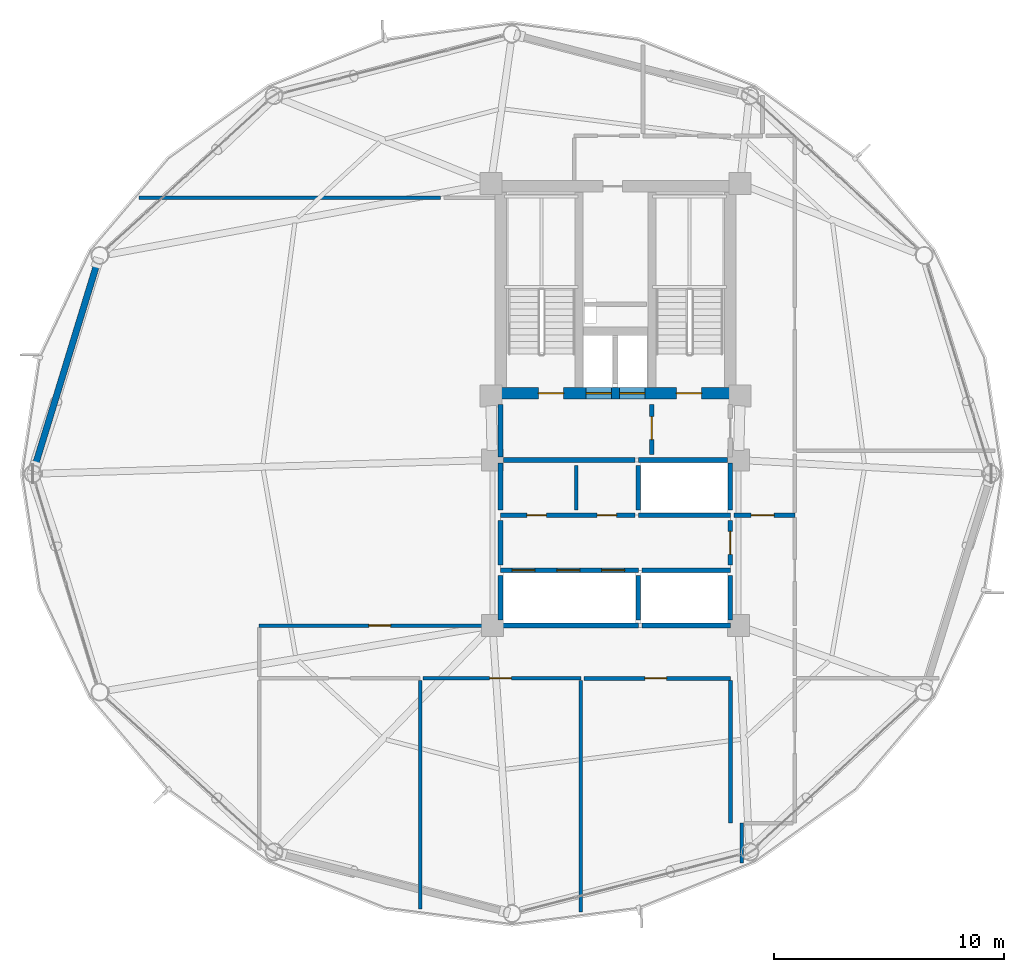
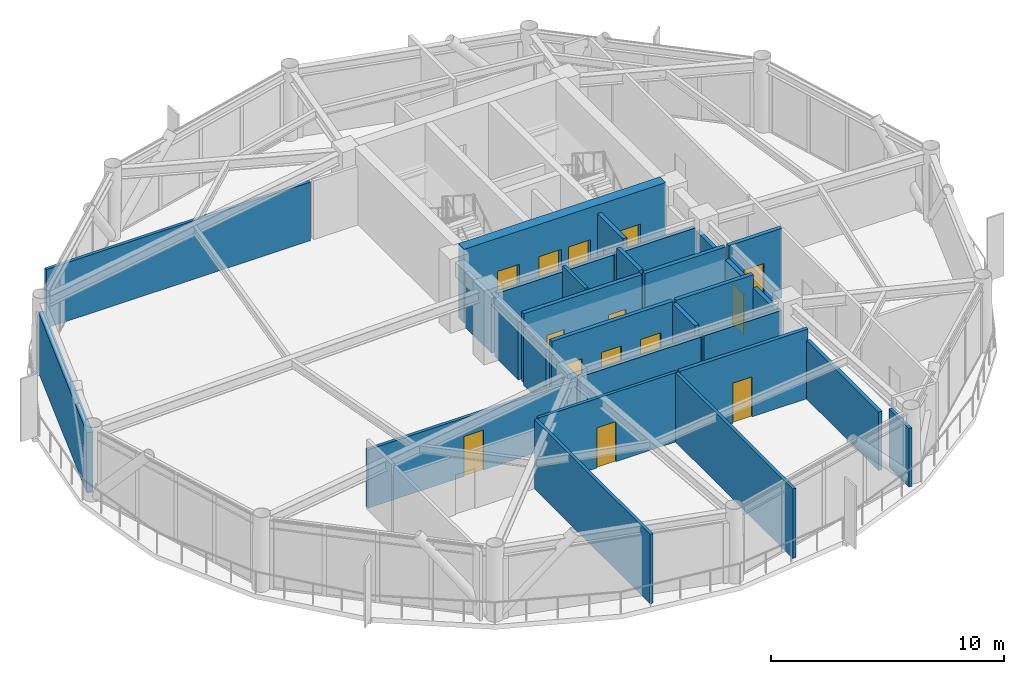
# One storey, part 21 of 25: 30 walls, 15 doors, 15 openings.
"""IFC4 building model written with IfcOpenShell, lengths in metres."""

from ifc_helpers import new_model, si_unit, direction, frame, frame_2d, origin, place, context, subcontext, project, spatial, rectangle, extrude, material, layer, layer_set, type_object, element, fill, save


model = new_model("IFC4")

# Units and contexts
model_context = context("Model", 3, precision=1e-05, world=origin(), true_north=direction((0.0, 1.0)))
body_context = subcontext(model_context, "Body", "Model", "MODEL_VIEW")
ifc_project = project(units=[si_unit("LENGTHUNIT", "METRE"), si_unit("AREAUNIT", "SQUARE_METRE"), si_unit("VOLUMEUNIT", "CUBIC_METRE"), si_unit("PLANEANGLEUNIT", "RADIAN"), si_unit("MASSUNIT", "GRAM", prefix="KILO")], contexts=[model_context])

# Site, building, storey
site_placement = place(None, origin())
site = spatial("IfcSite", under=ifc_project, at=site_placement, CompositionType="ELEMENT")
building_placement = place(site_placement, origin())
building = spatial("IfcBuilding", under=site, at=building_placement, Name="Varnakorn Sky Granary", CompositionType="ELEMENT")
storey_placement = place(building_placement, frame((0.0, 0.0, 146.10009765625)))
storey = spatial("IfcBuildingStorey", under=building, at=storey_placement, Name="L36", CompositionType="ELEMENT", Elevation=146.10009765625)

# Wall, openings, doors
ifc_material_1 = material(Name="Concrete C60/75", Category="concrete")
ifc_layer_1 = layer(ifc_material_1, 0.5, Name="Concrete C60/75")
ifc_layer_set_1 = layer_set([ifc_layer_1], Name="Concrete C60/75")
wall_type_1 = type_object("IfcWallType", Name="WT-CW-SHEAR-500", PredefinedType="SHEAR", material=ifc_layer_set_1)
wall_1_placement = place(storey_placement, frame((-2.0, 3.5, 0.0), z_axis=(0.0, 0.0, 1.0), x_axis=(1.0, 0.0, 0.0)))
wall_1 = element("IfcWall", 1, at=wall_1_placement, inside=storey, type_object=wall_type_1, Name="Core South Shear Wall L36", PredefinedType="SHEAR", context=body_context, shape_type="SweptSolid", body=[
    extrude(rectangle(XDim=10.0, YDim=0.5, at=frame_2d((5.0, 0.0))), origin(), (0.0, 0.0, 1.0), 3.891845703125),
])
opening_1_placement = place(wall_1_placement, frame((1.64990234375, 0.0, 0.0)))
opening_1 = element("IfcOpeningElement", 2, at=opening_1_placement, cuts=wall_1, Name="Opening FD-90", PredefinedType="OPENING", context=body_context, shape_type="SweptSolid", body=[
    extrude(rectangle(XDim=1.10009765625, YDim=2.14990234375, at=frame_2d((0.550048828125, 1.074951171875))), frame((0.0, 0.260009765625, 0.0), z_axis=(0.0, -1.0, 0.0), x_axis=(1.0, 0.0, 0.0)), (0.0, 0.0, 1.0), 0.52001953125),
])
opening_2_placement = place(wall_1_placement, frame((7.64990234375, 0.0, 0.0)))
opening_2 = element("IfcOpeningElement", 3, at=opening_2_placement, cuts=wall_1, Name="Opening FD-90", PredefinedType="OPENING", context=body_context, shape_type="SweptSolid", body=[
    extrude(rectangle(XDim=1.10009765625, YDim=2.14990234375, at=frame_2d((0.550048828125, 1.074951171875))), frame((0.0, 0.260009765625, 0.0), z_axis=(0.0, -1.0, 0.0), x_axis=(1.0, 0.0, 0.0)), (0.0, 0.0, 1.0), 0.52001953125),
])
opening_3_placement = place(wall_1_placement, frame((3.719970703125, 0.0, 0.0)))
opening_3 = element("IfcOpeningElement", 4, at=opening_3_placement, cuts=wall_1, Name="Opening LD-01", PredefinedType="OPENING", context=body_context, shape_type="SweptSolid", body=[
    extrude(rectangle(XDim=1.10009765625, YDim=2.199951171875, at=frame_2d((0.550048828125, 1.10009765625))), frame((0.0, 0.260009765625, 0.0), z_axis=(0.0, -1.0, 0.0), x_axis=(1.0, 0.0, 0.0)), (0.0, 0.0, 1.0), 0.52001953125),
])
opening_4_placement = place(wall_1_placement, frame((5.179931640625, 0.0, 0.0)))
opening_4 = element("IfcOpeningElement", 5, at=opening_4_placement, cuts=wall_1, Name="Opening LD-01", PredefinedType="OPENING", context=body_context, shape_type="SweptSolid", body=[
    extrude(rectangle(XDim=1.10009765625, YDim=2.199951171875, at=frame_2d((0.550048828125, 1.10009765625))), frame((0.0, 0.260009765625, 0.0), z_axis=(0.0, -1.0, 0.0), x_axis=(1.0, 0.0, 0.0)), (0.0, 0.0, 1.0), 0.52001953125),
])
ifc_material_2 = material(Name="Brushed Bronze Stainless Steel", Category="steel")
door_type_1 = type_object("IfcDoorType", Name="DR-LD-1100", OperationType="DOUBLE_DOOR_SLIDING", PredefinedType="DOOR", material=ifc_material_2)
door_1_placement = place(opening_3_placement, origin())
door_1 = element("IfcDoor", 6, at=door_1_placement, inside=storey, type_object=door_type_1, Name="Firefighting Lift FFL-1 Landing Door L36", OperationType="DOUBLE_DOOR_SLIDING", OverallHeight=2.199951171875, OverallWidth=1.10009765625, PredefinedType="DOOR", context=body_context, shape_type="SweptSolid", body=[
    extrude(rectangle(XDim=1.10009765625, YDim=2.199951171875, at=frame_2d((0.550048828125, 1.10009765625))), frame((0.0, 0.02490234375, 0.0), z_axis=(0.0, -1.0, 0.0), x_axis=(1.0, 0.0, 0.0)), (0.0, 0.0, 1.0), 0.050048828125),
])
fill(opening_3, door_1)
door_2_placement = place(opening_4_placement, origin())
door_2 = element("IfcDoor", 7, at=door_2_placement, inside=storey, type_object=door_type_1, Name="Firefighting Lift FFL-2 Landing Door L36", OperationType="DOUBLE_DOOR_SLIDING", OverallHeight=2.199951171875, OverallWidth=1.10009765625, PredefinedType="DOOR", context=body_context, shape_type="SweptSolid", body=[
    extrude(rectangle(XDim=1.10009765625, YDim=2.199951171875, at=frame_2d((0.550048828125, 1.10009765625))), frame((0.0, 0.02490234375, 0.0), z_axis=(0.0, -1.0, 0.0), x_axis=(1.0, 0.0, 0.0)), (0.0, 0.0, 1.0), 0.050048828125),
])
fill(opening_4, door_2)
ifc_material_3 = material(Name="Galvanised Painted Steel Leaf", Category="steel")
door_type_2 = type_object("IfcDoorType", Name="DR-STAIR-1100", OperationType="NOTDEFINED", PredefinedType="DOOR", material=ifc_material_3)
door_3_placement = place(opening_1_placement, origin())
door_3 = element("IfcDoor", 8, at=door_3_placement, inside=storey, type_object=door_type_2, Name="Stair ST-1 Protected Fire Door L36", OperationType="SINGLE_SWING_LEFT", OverallHeight=2.14990234375, OverallWidth=1.10009765625, PredefinedType="DOOR", context=body_context, shape_type="SweptSolid", body=[
    extrude(rectangle(XDim=1.10009765625, YDim=2.14990234375, at=frame_2d((0.550048828125, 1.074951171875))), frame((0.0, 0.02490234375, 0.0), z_axis=(0.0, -1.0, 0.0), x_axis=(1.0, 0.0, 0.0)), (0.0, 0.0, 1.0), 0.050048828125),
])
fill(opening_1, door_3)
door_4_placement = place(opening_2_placement, origin())
door_4 = element("IfcDoor", 9, at=door_4_placement, inside=storey, type_object=door_type_2, Name="Stair ST-2 Protected Fire Door L36", OperationType="SINGLE_SWING_RIGHT", OverallHeight=2.14990234375, OverallWidth=1.10009765625, PredefinedType="DOOR", context=body_context, shape_type="SweptSolid", body=[
    extrude(rectangle(XDim=1.10009765625, YDim=2.14990234375, at=frame_2d((0.550048828125, 1.074951171875))), frame((0.0, 0.02490234375, 0.0), z_axis=(0.0, -1.0, 0.0), x_axis=(1.0, 0.0, 0.0)), (0.0, 0.0, 1.0), 0.050048828125),
])
fill(opening_2, door_4)

# Wall
ifc_material_4 = material(Name="Precast concrete C40/50", Category="concrete")
ifc_layer_2 = layer(ifc_material_4, 0.280029296875, Name="Precast concrete C40/50")
ifc_layer_set_2 = layer_set([ifc_layer_2], Name="Precast concrete C40/50")
wall_type_2 = type_object("IfcWallType", Name="WT-EW-CRN-280", PredefinedType="SOLIDWALL", material=ifc_layer_set_2)
wall_2_placement = place(storey_placement, frame((-22.251708984375, 0.3212890625, 0.0), z_axis=(0.0, 0.0, 1.0), x_axis=(0.292913418438, 0.956138969658, 0.0)))
element("IfcWall", 10, at=wall_2_placement, inside=storey, type_object=wall_type_2, Name="Agritech Insulated Precast Facade Wall L36-P06", PredefinedType="SOLIDWALL", context=body_context, shape_type="SweptSolid", body=[
    extrude(rectangle(XDim=9.26416015625, YDim=0.280029296875, at=frame_2d((4.632080078125, 0.0))), origin(), (0.0, 0.0, 1.0), 3.159912109375),
])

# Wall, opening, door
ifc_material_5 = material(Name="Autoclaved Aerated Concrete Blockwork", Category="masonry")
ifc_layer_3 = layer(ifc_material_5, 0.199951171875, Name="Autoclaved Aerated Concrete Blockwork")
ifc_layer_set_3 = layer_set([ifc_layer_3], Name="Autoclaved Aerated Concrete Blockwork")
wall_type_3 = type_object("IfcWallType", Name="WT-FIRE-200", PredefinedType="MOVABLE", material=ifc_layer_set_3)
wall_3_placement = place(storey_placement, frame((4.580078125, 0.830078125, 0.0), z_axis=(0.0, 0.0, 1.0), x_axis=(0.0, 1.0, 0.0)))
wall_3 = element("IfcWall", 11, at=wall_3_placement, inside=storey, type_object=wall_type_3, Name="Interior Partition Wall L36-014", PredefinedType="MOVABLE", context=body_context, shape_type="SweptSolid", body=[
    extrude(rectangle(XDim=2.18994140625, YDim=0.199951171875, at=frame_2d((1.094970703125, 0.0))), origin(), (0.0, 0.0, 1.0), 3.639892578125),
])
opening_5_placement = place(wall_3_placement, frame((0.659912109375, 0.0, 0.0)))
opening_5 = element("IfcOpeningElement", 12, at=opening_5_placement, cuts=wall_3, Name="Opening FD-60", PredefinedType="OPENING", context=body_context, shape_type="SweptSolid", body=[
    extrude(rectangle(XDim=1.0, YDim=2.10009765625, at=frame_2d((0.5, 1.050048828125))), frame((0.0, 0.10986328125, 0.0), z_axis=(0.0, -1.0, 0.0), x_axis=(1.0, 0.0, 0.0)), (0.0, 0.0, 1.0), 0.219970703125),
])
ifc_material_6 = material(Name="Acoustic Timber Fire Leaf", Category="wood")
door_type_3 = type_object("IfcDoorType", Name="DR-FD60-1000", OperationType="NOTDEFINED", PredefinedType="DOOR", material=ifc_material_6)
door_5_placement = place(opening_5_placement, origin())
door_5 = element("IfcDoor", 13, at=door_5_placement, inside=storey, type_object=door_type_3, Name="Interior Door L36-014-1", OperationType="SINGLE_SWING_LEFT", OverallHeight=2.10009765625, OverallWidth=1.0, PredefinedType="DOOR", context=body_context, shape_type="SweptSolid", body=[
    extrude(rectangle(XDim=1.0, YDim=2.10009765625, at=frame_2d((0.5, 1.050048828125))), frame((0.0, 0.02490234375, 0.0), z_axis=(0.0, -1.0, 0.0), x_axis=(1.0, 0.0, 0.0)), (0.0, 0.0, 1.0), 0.050048828125),
])
fill(opening_5, door_5)

wall_4_placement = place(storey_placement, frame((8.0, -3.969970703125, 0.0), z_axis=(0.0, 0.0, 1.0), x_axis=(0.0, 1.0, 0.0)))
wall_4 = element("IfcWall", 14, at=wall_4_placement, inside=storey, type_object=wall_type_3, Name="Interior Partition Wall L36-016", PredefinedType="MOVABLE", context=body_context, shape_type="SweptSolid", body=[
    extrude(rectangle(XDim=1.93994140625, YDim=0.199951171875, at=frame_2d((0.969970703125, 0.0))), origin(), (0.0, 0.0, 1.0), 3.072021484375),
])
opening_6_placement = place(wall_4_placement, frame((0.469970703125, 0.0, 0.0)))
opening_6 = element("IfcOpeningElement", 15, at=opening_6_placement, cuts=wall_4, Name="Opening FD-60", PredefinedType="OPENING", context=body_context, shape_type="SweptSolid", body=[
    extrude(rectangle(XDim=1.0, YDim=2.10009765625, at=frame_2d((0.5, 1.050048828125))), frame((0.0, 0.10986328125, 0.0), z_axis=(0.0, -1.0, 0.0), x_axis=(1.0, 0.0, 0.0)), (0.0, 0.0, 1.0), 0.219970703125),
])
door_6_placement = place(opening_6_placement, origin())
door_6 = element("IfcDoor", 16, at=door_6_placement, inside=storey, type_object=door_type_3, Name="Interior Door L36-016-1", OperationType="SINGLE_SWING_LEFT", OverallHeight=2.10009765625, OverallWidth=1.0, PredefinedType="DOOR", context=body_context, shape_type="SweptSolid", body=[
    extrude(rectangle(XDim=1.0, YDim=2.10009765625, at=frame_2d((0.5, 1.050048828125))), frame((0.0, 0.02490234375, 0.0), z_axis=(0.0, -1.0, 0.0), x_axis=(1.0, 0.0, 0.0)), (0.0, 0.0, 1.0), 0.050048828125),
])
fill(opening_6, door_6)

# Wall, openings, doors
wall_5_placement = place(storey_placement, frame((-2.0, -1.800048828125, 0.0), z_axis=(0.0, 0.0, 1.0), x_axis=(1.0, 0.0, 0.0)))
wall_5 = element("IfcWall", 17, at=wall_5_placement, inside=storey, type_object=wall_type_3, Name="Interior Partition Wall L36-017", PredefinedType="MOVABLE", context=body_context, shape_type="SweptSolid", body=[
    extrude(rectangle(XDim=5.840087890625, YDim=0.199951171875, at=frame_2d((2.919921875, 0.0))), origin(), (0.0, 0.0, 1.0), 3.639892578125),
])
opening_7_placement = place(wall_5_placement, frame((1.14990234375, 0.0, 0.0)))
opening_7 = element("IfcOpeningElement", 18, at=opening_7_placement, cuts=wall_5, Name="Opening FD-60N", PredefinedType="OPENING", context=body_context, shape_type="SweptSolid", body=[
    extrude(rectangle(XDim=0.85009765625, YDim=2.10009765625, at=frame_2d((0.425048828125, 1.050048828125))), frame((0.0, 0.10986328125, 0.0), z_axis=(0.0, -1.0, 0.0), x_axis=(1.0, 0.0, 0.0)), (0.0, 0.0, 1.0), 0.219970703125),
])
opening_8_placement = place(wall_5_placement, frame((4.199951171875, 0.0, 0.0)))
opening_8 = element("IfcOpeningElement", 19, at=opening_8_placement, cuts=wall_5, Name="Opening FD-60N", PredefinedType="OPENING", context=body_context, shape_type="SweptSolid", body=[
    extrude(rectangle(XDim=0.85009765625, YDim=2.10009765625, at=frame_2d((0.425048828125, 1.050048828125))), frame((0.0, 0.10986328125, 0.0), z_axis=(0.0, -1.0, 0.0), x_axis=(1.0, 0.0, 0.0)), (0.0, 0.0, 1.0), 0.219970703125),
])
door_type_4 = type_object("IfcDoorType", Name="DR-FD60-850", OperationType="NOTDEFINED", PredefinedType="DOOR", material=ifc_material_6)
door_7_placement = place(opening_7_placement, origin())
door_7 = element("IfcDoor", 20, at=door_7_placement, inside=storey, type_object=door_type_4, Name="Interior Door L36-017-1", OperationType="SINGLE_SWING_RIGHT", OverallHeight=2.10009765625, OverallWidth=0.85009765625, PredefinedType="DOOR", context=body_context, shape_type="SweptSolid", body=[
    extrude(rectangle(XDim=0.85009765625, YDim=2.10009765625, at=frame_2d((0.425048828125, 1.050048828125))), frame((0.0, 0.02490234375, 0.0), z_axis=(0.0, -1.0, 0.0), x_axis=(1.0, 0.0, 0.0)), (0.0, 0.0, 1.0), 0.050048828125),
])
fill(opening_7, door_7)
door_8_placement = place(opening_8_placement, origin())
door_8 = element("IfcDoor", 21, at=door_8_placement, inside=storey, type_object=door_type_4, Name="Interior Door L36-017-2", OperationType="SINGLE_SWING_LEFT", OverallHeight=2.10009765625, OverallWidth=0.85009765625, PredefinedType="DOOR", context=body_context, shape_type="SweptSolid", body=[
    extrude(rectangle(XDim=0.85009765625, YDim=2.10009765625, at=frame_2d((0.425048828125, 1.050048828125))), frame((0.0, 0.02490234375, 0.0), z_axis=(0.0, -1.0, 0.0), x_axis=(1.0, 0.0, 0.0)), (0.0, 0.0, 1.0), 0.050048828125),
])
fill(opening_8, door_8)

# Wall, opening, door
wall_6_placement = place(storey_placement, frame((8.159912109375, -1.800048828125, 0.0), z_axis=(0.0, 0.0, 1.0), x_axis=(1.0, 0.0, 0.0)))
wall_6 = element("IfcWall", 22, at=wall_6_placement, inside=storey, type_object=wall_type_3, Name="Interior Partition Wall L36-018", PredefinedType="MOVABLE", context=body_context, shape_type="SweptSolid", body=[
    extrude(rectangle(XDim=2.64013671875, YDim=0.199951171875, at=frame_2d((1.320068359375, 0.0))), origin(), (0.0, 0.0, 1.0), 3.639892578125),
])
opening_9_placement = place(wall_6_placement, frame((0.739990234375, 0.0, 0.0)))
opening_9 = element("IfcOpeningElement", 23, at=opening_9_placement, cuts=wall_6, Name="Opening FD-60", PredefinedType="OPENING", context=body_context, shape_type="SweptSolid", body=[
    extrude(rectangle(XDim=1.0, YDim=2.10009765625, at=frame_2d((0.5, 1.050048828125))), frame((0.0, 0.10986328125, 0.0), z_axis=(0.0, -1.0, 0.0), x_axis=(1.0, 0.0, 0.0)), (0.0, 0.0, 1.0), 0.219970703125),
])
door_9_placement = place(opening_9_placement, origin())
door_9 = element("IfcDoor", 24, at=door_9_placement, inside=storey, type_object=door_type_3, Name="Interior Door L36-018-1", OperationType="SINGLE_SWING_RIGHT", OverallHeight=2.10009765625, OverallWidth=1.0, PredefinedType="DOOR", context=body_context, shape_type="SweptSolid", body=[
    extrude(rectangle(XDim=1.0, YDim=2.10009765625, at=frame_2d((0.5, 1.050048828125))), frame((0.0, 0.02490234375, 0.0), z_axis=(0.0, -1.0, 0.0), x_axis=(1.0, 0.0, 0.0)), (0.0, 0.0, 1.0), 0.050048828125),
])
fill(opening_9, door_9)

# Walls
wall_7_placement = place(storey_placement, frame((-1.8798828125, 0.60009765625, 0.0), z_axis=(0.0, 0.0, 1.0), x_axis=(1.0, 0.0, 0.0)))
element("IfcWall", 25, at=wall_7_placement, inside=storey, type_object=wall_type_3, Name="Interior Partition Wall L36-028", PredefinedType="MOVABLE", context=body_context, shape_type="SweptSolid", body=[
    extrude(rectangle(XDim=5.719970703125, YDim=0.199951171875, at=frame_2d((2.85986328125, 0.0))), origin(), (0.0, 0.0, 1.0), 3.221923828125),
])
wall_8_placement = place(storey_placement, frame((-2.0, 0.719970703125, 0.0), z_axis=(0.0, 0.0, 1.0), x_axis=(0.0, 1.0, 0.0)))
element("IfcWall", 26, at=wall_8_placement, inside=storey, type_object=wall_type_3, Name="Interior Partition Wall L36-029", PredefinedType="MOVABLE", context=body_context, shape_type="SweptSolid", body=[
    extrude(rectangle(XDim=2.300048828125, YDim=0.199951171875, at=frame_2d((1.14990234375, 0.0))), origin(), (0.0, 0.0, 1.0), 2.871826171875),
])
wall_9_placement = place(storey_placement, frame((-2.0, -3.969970703125, 0.0), z_axis=(0.0, 0.0, 1.0), x_axis=(0.0, 1.0, 0.0)))
element("IfcWall", 27, at=wall_9_placement, inside=storey, type_object=wall_type_3, Name="Interior Partition Wall L36-030", PredefinedType="MOVABLE", context=body_context, shape_type="SweptSolid", body=[
    extrude(rectangle(XDim=1.93994140625, YDim=0.199951171875, at=frame_2d((0.969970703125, 0.0))), origin(), (0.0, 0.0, 1.0), 3.02197265625),
])
wall_10_placement = place(storey_placement, frame((-2.0, -1.570068359375, 0.0), z_axis=(0.0, 0.0, 1.0), x_axis=(0.0, 1.0, 0.0)))
element("IfcWall", 28, at=wall_10_placement, inside=storey, type_object=wall_type_3, Name="Interior Partition Wall L36-032", PredefinedType="MOVABLE", context=body_context, shape_type="SweptSolid", body=[
    extrude(rectangle(XDim=2.050048828125, YDim=0.199951171875, at=frame_2d((1.02490234375, 0.0))), origin(), (0.0, 0.0, 1.0), 3.02197265625),
])

# Wall, opening, door
ifc_material_7 = material(Name="Gypsum Plasterboard on Steel Stud", Category="steel")
ifc_layer_4 = layer(ifc_material_7, 0.14990234375, Name="Gypsum Plasterboard on Steel Stud")
ifc_layer_set_4 = layer_set([ifc_layer_4], Name="Gypsum Plasterboard on Steel Stud")
wall_type_4 = type_object("IfcWallType", Name="WT-PART-150", PredefinedType="PARTITIONING", material=ifc_layer_set_4)
wall_11_placement = place(storey_placement, frame((-5.364990234375, -8.89990234375, 0.0), z_axis=(0.0, 0.0, 1.0), x_axis=(1.0, 0.0, 0.0)))
wall_11 = element("IfcWall", 29, at=wall_11_placement, inside=storey, type_object=wall_type_4, Name="Interior Partition Wall L36-021", PredefinedType="PARTITIONING", context=body_context, shape_type="SweptSolid", body=[
    extrude(rectangle(XDim=6.864990234375, YDim=0.14990234375, at=frame_2d((3.4326171875, 0.0))), origin(), (0.0, 0.0, 1.0), 3.639892578125),
])
opening_10_placement = place(wall_11_placement, frame((2.889892578125, 0.0, 0.0)))
opening_10 = element("IfcOpeningElement", 30, at=opening_10_placement, cuts=wall_11, Name="Opening ID-95", PredefinedType="OPENING", context=body_context, shape_type="SweptSolid", body=[
    extrude(rectangle(XDim=0.949951171875, YDim=2.10009765625, at=frame_2d((0.47509765625, 1.050048828125))), frame((0.0, 0.0849609375, 0.0), z_axis=(0.0, -1.0, 0.0), x_axis=(1.0, 0.0, 0.0)), (0.0, 0.0, 1.0), 0.169921875),
])
ifc_material_8 = material(Name="Solid-Core Teak Veneer Leaf", Category="timber")
door_type_5 = type_object("IfcDoorType", Name="DR-INT-950", OperationType="NOTDEFINED", PredefinedType="DOOR", material=ifc_material_8)
door_10_placement = place(opening_10_placement, origin())
door_10 = element("IfcDoor", 31, at=door_10_placement, inside=storey, type_object=door_type_5, Name="Interior Door L36-021-1", OperationType="SINGLE_SWING_LEFT", OverallHeight=2.10009765625, OverallWidth=0.949951171875, PredefinedType="DOOR", context=body_context, shape_type="SweptSolid", body=[
    extrude(rectangle(XDim=0.949951171875, YDim=2.10009765625, at=frame_2d((0.47509765625, 1.050048828125))), frame((0.0, 0.02490234375, 0.0), z_axis=(0.0, -1.0, 0.0), x_axis=(1.0, 0.0, 0.0)), (0.0, 0.0, 1.0), 0.050048828125),
])
fill(opening_10, door_10)

wall_12_placement = place(storey_placement, frame((-2.159912109375, -6.60009765625, 0.0), z_axis=(0.0, 0.0, 1.0), x_axis=(-1.0, 0.0, 0.0)))
wall_12 = element("IfcWall", 32, at=wall_12_placement, inside=storey, type_object=wall_type_4, Name="Interior Partition Wall L36-024", PredefinedType="PARTITIONING", context=body_context, shape_type="SweptSolid", body=[
    extrude(rectangle(XDim=10.340087890625, YDim=0.14990234375, at=frame_2d((5.169921875, 0.0))), origin(), (0.0, 0.0, 1.0), 3.072021484375),
])
opening_11_placement = place(wall_12_placement, frame((4.614990234375, 0.0, 0.0)))
opening_11 = element("IfcOpeningElement", 33, at=opening_11_placement, cuts=wall_12, Name="Opening ID-95", PredefinedType="OPENING", context=body_context, shape_type="SweptSolid", body=[
    extrude(rectangle(XDim=0.949951171875, YDim=2.10009765625, at=frame_2d((0.47509765625, 1.050048828125))), frame((0.0, 0.0849609375, 0.0), z_axis=(0.0, -1.0, 0.0), x_axis=(1.0, 0.0, 0.0)), (0.0, 0.0, 1.0), 0.169921875),
])
door_11_placement = place(opening_11_placement, origin())
door_11 = element("IfcDoor", 34, at=door_11_placement, inside=storey, type_object=door_type_5, Name="Interior Door L36-024-1", OperationType="SINGLE_SWING_RIGHT", OverallHeight=2.10009765625, OverallWidth=0.949951171875, PredefinedType="DOOR", context=body_context, shape_type="SweptSolid", body=[
    extrude(rectangle(XDim=0.949951171875, YDim=2.10009765625, at=frame_2d((0.47509765625, 1.050048828125))), frame((0.0, 0.02490234375, 0.0), z_axis=(0.0, -1.0, 0.0), x_axis=(1.0, 0.0, 0.0)), (0.0, 0.0, 1.0), 0.050048828125),
])
fill(opening_11, door_11)

# Walls
wall_13_placement = place(storey_placement, frame((1.300048828125, -1.570068359375, 0.0), z_axis=(0.0, 0.0, 1.0), x_axis=(0.0, 1.0, 0.0)))
element("IfcWall", 35, at=wall_13_placement, inside=storey, type_object=wall_type_4, Name="Interior Partition Wall L36-031", PredefinedType="PARTITIONING", context=body_context, shape_type="SweptSolid", body=[
    extrude(rectangle(XDim=1.940185546875, YDim=0.14990234375, at=frame_2d((0.97021484375, 0.0))), origin(), (0.0, 0.0, 1.0), 3.639892578125),
])
wall_14_placement = place(storey_placement, frame((-5.5, -8.985107421875, 0.0), z_axis=(0.0, 0.0, 1.0), x_axis=(0.0, -1.0, 0.0)))
element("IfcWall", 36, at=wall_14_placement, inside=storey, type_object=wall_type_4, Name="Interior Partition Wall L36-034", PredefinedType="PARTITIONING", context=body_context, shape_type="SweptSolid", body=[
    extrude(rectangle(XDim=9.94384765625, YDim=0.14990234375, at=frame_2d((4.971923828125, 0.0))), origin(), (0.0, 0.0, 1.0), 3.639892578125),
])
wall_15_placement = place(storey_placement, frame((1.5, -8.985107421875, 0.0), z_axis=(0.0, 0.0, 1.0), x_axis=(0.0, -1.0, 0.0)))
element("IfcWall", 37, at=wall_15_placement, inside=storey, type_object=wall_type_4, Name="Interior Partition Wall L36-036", PredefinedType="PARTITIONING", context=body_context, shape_type="SweptSolid", body=[
    extrude(rectangle(XDim=10.072998046875, YDim=0.14990234375, at=frame_2d((5.03662109375, 0.0))), origin(), (0.0, 0.0, 1.0), 3.639892578125),
])
wall_16_placement = place(storey_placement, frame((8.5, -15.199951171875, 0.0), z_axis=(0.0, 0.0, 1.0), x_axis=(0.0, -1.0, 0.0)))
element("IfcWall", 38, at=wall_16_placement, inside=storey, type_object=wall_type_4, Name="Interior Partition Wall L36-038", PredefinedType="PARTITIONING", context=body_context, shape_type="SweptSolid", body=[
    extrude(rectangle(XDim=1.72900390625, YDim=0.14990234375, at=frame_2d((0.864501953125, 0.0))), origin(), (0.0, 0.0, 1.0), 3.072021484375),
])
wall_17_placement = place(storey_placement, frame((-17.715087890625, 12.0, 0.0), z_axis=(0.0, 0.0, 1.0), x_axis=(1.0, 0.0, 0.0)))
element("IfcWall", 39, at=wall_17_placement, inside=storey, type_object=wall_type_4, Name="Interior Partition Wall L36-042", PredefinedType="PARTITIONING", context=body_context, shape_type="SweptSolid", body=[
    extrude(rectangle(XDim=13.114990234375, YDim=0.14990234375, at=frame_2d((6.5576171875, 0.0))), origin(), (0.0, 0.0, 1.0), 3.072021484375),
])

# Wall, opening, door
ifc_material_9 = material(Name="Moisture-Resistant Gypsum on Stud", Category="gypsum")
ifc_layer_5 = layer(ifc_material_9, 0.179931640625, Name="Moisture-Resistant Gypsum on Stud")
ifc_layer_set_5 = layer_set([ifc_layer_5], Name="Moisture-Resistant Gypsum on Stud")
wall_type_5 = type_object("IfcWallType", Name="WT-PLUMB-180", PredefinedType="PLUMBINGWALL", material=ifc_layer_set_5)
wall_18_placement = place(storey_placement, frame((1.635009765625, -8.89990234375, 0.0), z_axis=(0.0, 0.0, 1.0), x_axis=(1.0, 0.0, 0.0)))
wall_18 = element("IfcWall", 40, at=wall_18_placement, inside=storey, type_object=wall_type_5, Name="Interior Partition Wall L36-022", PredefinedType="PLUMBINGWALL", context=body_context, shape_type="SweptSolid", body=[
    extrude(rectangle(XDim=6.364990234375, YDim=0.179931640625, at=frame_2d((3.1826171875, 0.0))), origin(), (0.0, 0.0, 1.0), 3.639892578125),
])
opening_12_placement = place(wall_18_placement, frame((2.639892578125, 0.0, 0.0)))
opening_12 = element("IfcOpeningElement", 41, at=opening_12_placement, cuts=wall_18, Name="Opening ID-95", PredefinedType="OPENING", context=body_context, shape_type="SweptSolid", body=[
    extrude(rectangle(XDim=0.949951171875, YDim=2.10009765625, at=frame_2d((0.47509765625, 1.050048828125))), frame((0.0, 0.10009765625, 0.0), z_axis=(0.0, -1.0, 0.0), x_axis=(1.0, 0.0, 0.0)), (0.0, 0.0, 1.0), 0.199951171875),
])
door_12_placement = place(opening_12_placement, origin())
door_12 = element("IfcDoor", 42, at=door_12_placement, inside=storey, type_object=door_type_5, Name="Interior Door L36-022-1", OperationType="SINGLE_SWING_RIGHT", OverallHeight=2.10009765625, OverallWidth=0.949951171875, PredefinedType="DOOR", context=body_context, shape_type="SweptSolid", body=[
    extrude(rectangle(XDim=0.949951171875, YDim=2.10009765625, at=frame_2d((0.47509765625, 1.050048828125))), frame((0.0, 0.02490234375, 0.0), z_axis=(0.0, -1.0, 0.0), x_axis=(1.0, 0.0, 0.0)), (0.0, 0.0, 1.0), 0.050048828125),
])
fill(opening_12, door_12)

# Walls
wall_19_placement = place(storey_placement, frame((8.0, -9.0, 0.0), z_axis=(0.0, 0.0, 1.0), x_axis=(0.0, -1.0, 0.0)))
element("IfcWall", 43, at=wall_19_placement, inside=storey, type_object=wall_type_5, Name="Interior Partition Wall L36-037", PredefinedType="PLUMBINGWALL", context=body_context, shape_type="SweptSolid", body=[
    extrude(rectangle(XDim=6.199951171875, YDim=0.179931640625, at=frame_2d((3.10009765625, 0.0))), origin(), (0.0, 0.0, 1.0), 3.072021484375),
])
ifc_layer_6 = layer(ifc_material_5, 0.199951171875, Name="Autoclaved Aerated Concrete Blockwork")
ifc_layer_set_6 = layer_set([ifc_layer_6], Name="Autoclaved Aerated Concrete Blockwork")
wall_type_6 = type_object("IfcWallType", Name="WT-SHAFT-200", PredefinedType="SOLIDWALL", material=ifc_layer_set_6)
wall_20_placement = place(storey_placement, frame((4.0, 0.60009765625, 0.0), z_axis=(0.0, 0.0, 1.0), x_axis=(1.0, 0.0, 0.0)))
element("IfcWall", 44, at=wall_20_placement, inside=storey, type_object=wall_type_6, Name="Interior Partition Wall L36-003", PredefinedType="SOLIDWALL", context=body_context, shape_type="SweptSolid", body=[
    extrude(rectangle(XDim=3.8798828125, YDim=0.199951171875, at=frame_2d((1.93994140625, 0.0))), origin(), (0.0, 0.0, 1.0), 3.221923828125),
])
wall_21_placement = place(storey_placement, frame((4.0, -1.800048828125, 0.0), z_axis=(0.0, 0.0, 1.0), x_axis=(1.0, 0.0, 0.0)))
element("IfcWall", 45, at=wall_21_placement, inside=storey, type_object=wall_type_6, Name="Interior Partition Wall L36-004", PredefinedType="SOLIDWALL", context=body_context, shape_type="SweptSolid", body=[
    extrude(rectangle(XDim=4.0, YDim=0.199951171875, at=frame_2d((2.0, 0.0))), origin(), (0.0, 0.0, 1.0), 3.639892578125),
])
wall_22_placement = place(storey_placement, frame((4.0, -1.570068359375, 0.0), z_axis=(0.0, 0.0, 1.0), x_axis=(0.0, 1.0, 0.0)))
element("IfcWall", 46, at=wall_22_placement, inside=storey, type_object=wall_type_6, Name="Interior Partition Wall L36-005", PredefinedType="SOLIDWALL", context=body_context, shape_type="SweptSolid", body=[
    extrude(rectangle(XDim=1.940185546875, YDim=0.199951171875, at=frame_2d((0.97021484375, 0.0))), origin(), (0.0, 0.0, 1.0), 3.639892578125),
])
wall_23_placement = place(storey_placement, frame((8.0, -1.570068359375, 0.0), z_axis=(0.0, 0.0, 1.0), x_axis=(0.0, 1.0, 0.0)))
element("IfcWall", 47, at=wall_23_placement, inside=storey, type_object=wall_type_6, Name="Interior Partition Wall L36-006", PredefinedType="SOLIDWALL", context=body_context, shape_type="SweptSolid", body=[
    extrude(rectangle(XDim=2.050048828125, YDim=0.199951171875, at=frame_2d((1.02490234375, 0.0))), origin(), (0.0, 0.0, 1.0), 3.072021484375),
])

# Wall, openings, doors
wall_24_placement = place(storey_placement, frame((-2.0, -4.199951171875, 0.0), z_axis=(0.0, 0.0, 1.0), x_axis=(1.0, 0.0, 0.0)))
wall_24 = element("IfcWall", 48, at=wall_24_placement, inside=storey, type_object=wall_type_6, Name="Interior Partition Wall L36-007", PredefinedType="SOLIDWALL", context=body_context, shape_type="SweptSolid", body=[
    extrude(rectangle(XDim=6.0, YDim=0.199951171875, at=frame_2d((3.0, 0.0))), origin(), (0.0, 0.0, 1.0), 3.639892578125),
])
opening_13_placement = place(wall_24_placement, frame((0.5, 0.0, 0.0)))
opening_13 = element("IfcOpeningElement", 49, at=opening_13_placement, cuts=wall_24, Name="Opening LD-03", PredefinedType="OPENING", context=body_context, shape_type="SweptSolid", body=[
    extrude(rectangle(XDim=1.0, YDim=2.199951171875, at=frame_2d((0.5, 1.10009765625))), frame((0.0, 0.10986328125, 0.0), z_axis=(0.0, -1.0, 0.0), x_axis=(1.0, 0.0, 0.0)), (0.0, 0.0, 1.0), 0.219970703125),
])
opening_14_placement = place(wall_24_placement, frame((2.449951171875, 0.0, 0.0)))
opening_14 = element("IfcOpeningElement", 50, at=opening_14_placement, cuts=wall_24, Name="Opening LD-03", PredefinedType="OPENING", context=body_context, shape_type="SweptSolid", body=[
    extrude(rectangle(XDim=1.0, YDim=2.199951171875, at=frame_2d((0.5, 1.10009765625))), frame((0.0, 0.10986328125, 0.0), z_axis=(0.0, -1.0, 0.0), x_axis=(1.0, 0.0, 0.0)), (0.0, 0.0, 1.0), 0.219970703125),
])
opening_15_placement = place(wall_24_placement, frame((4.39990234375, 0.0, 0.0)))
opening_15 = element("IfcOpeningElement", 51, at=opening_15_placement, cuts=wall_24, Name="Opening LD-03", PredefinedType="OPENING", context=body_context, shape_type="SweptSolid", body=[
    extrude(rectangle(XDim=1.0, YDim=2.199951171875, at=frame_2d((0.5, 1.10009765625))), frame((0.0, 0.10986328125, 0.0), z_axis=(0.0, -1.0, 0.0), x_axis=(1.0, 0.0, 0.0)), (0.0, 0.0, 1.0), 0.219970703125),
])
door_type_6 = type_object("IfcDoorType", Name="DR-LD-1000", OperationType="DOUBLE_DOOR_SLIDING", PredefinedType="DOOR", material=ifc_material_2)
door_13_placement = place(opening_13_placement, origin())
door_13 = element("IfcDoor", 52, at=door_13_placement, inside=storey, type_object=door_type_6, Name="Passenger Lift PL-M1 Sliding Landing Door L36", OperationType="DOUBLE_DOOR_SLIDING", OverallHeight=2.199951171875, OverallWidth=1.0, PredefinedType="DOOR", context=body_context, shape_type="SweptSolid", body=[
    extrude(rectangle(XDim=1.0, YDim=2.199951171875, at=frame_2d((0.5, 1.10009765625))), frame((0.0, 0.02490234375, 0.0), z_axis=(0.0, -1.0, 0.0), x_axis=(1.0, 0.0, 0.0)), (0.0, 0.0, 1.0), 0.050048828125),
])
fill(opening_13, door_13)
door_14_placement = place(opening_14_placement, origin())
door_14 = element("IfcDoor", 53, at=door_14_placement, inside=storey, type_object=door_type_6, Name="Passenger Lift PL-M2 Sliding Landing Door L36", OperationType="DOUBLE_DOOR_SLIDING", OverallHeight=2.199951171875, OverallWidth=1.0, PredefinedType="DOOR", context=body_context, shape_type="SweptSolid", body=[
    extrude(rectangle(XDim=1.0, YDim=2.199951171875, at=frame_2d((0.5, 1.10009765625))), frame((0.0, 0.02490234375, 0.0), z_axis=(0.0, -1.0, 0.0), x_axis=(1.0, 0.0, 0.0)), (0.0, 0.0, 1.0), 0.050048828125),
])
fill(opening_14, door_14)
door_15_placement = place(opening_15_placement, origin())
door_15 = element("IfcDoor", 54, at=door_15_placement, inside=storey, type_object=door_type_6, Name="Passenger Lift PL-M3 Sliding Landing Door L36", OperationType="DOUBLE_DOOR_SLIDING", OverallHeight=2.199951171875, OverallWidth=1.0, PredefinedType="DOOR", context=body_context, shape_type="SweptSolid", body=[
    extrude(rectangle(XDim=1.0, YDim=2.199951171875, at=frame_2d((0.5, 1.10009765625))), frame((0.0, 0.02490234375, 0.0), z_axis=(0.0, -1.0, 0.0), x_axis=(1.0, 0.0, 0.0)), (0.0, 0.0, 1.0), 0.050048828125),
])
fill(opening_15, door_15)

# Walls
wall_25_placement = place(storey_placement, frame((-2.0, -6.60009765625, 0.0), z_axis=(0.0, 0.0, 1.0), x_axis=(1.0, 0.0, 0.0)))
element("IfcWall", 55, at=wall_25_placement, inside=storey, type_object=wall_type_6, Name="Interior Partition Wall L36-008", PredefinedType="SOLIDWALL", context=body_context, shape_type="SweptSolid", body=[
    extrude(rectangle(XDim=6.0, YDim=0.199951171875, at=frame_2d((3.0, 0.0))), origin(), (0.0, 0.0, 1.0), 3.221923828125),
])
wall_26_placement = place(storey_placement, frame((-2.0, -6.3701171875, 0.0), z_axis=(0.0, 0.0, 1.0), x_axis=(0.0, 1.0, 0.0)))
element("IfcWall", 56, at=wall_26_placement, inside=storey, type_object=wall_type_6, Name="Interior Partition Wall L36-009", PredefinedType="SOLIDWALL", context=body_context, shape_type="SweptSolid", body=[
    extrude(rectangle(XDim=1.940185546875, YDim=0.199951171875, at=frame_2d((0.97021484375, 0.0))), origin(), (0.0, 0.0, 1.0), 3.02197265625),
])
wall_27_placement = place(storey_placement, frame((4.159912109375, -4.199951171875, 0.0), z_axis=(0.0, 0.0, 1.0), x_axis=(1.0, 0.0, 0.0)))
element("IfcWall", 57, at=wall_27_placement, inside=storey, type_object=wall_type_6, Name="Interior Partition Wall L36-010", PredefinedType="SOLIDWALL", context=body_context, shape_type="SweptSolid", body=[
    extrude(rectangle(XDim=3.840087890625, YDim=0.199951171875, at=frame_2d((1.919921875, 0.0))), origin(), (0.0, 0.0, 1.0), 3.639892578125),
])
wall_28_placement = place(storey_placement, frame((4.159912109375, -6.60009765625, 0.0), z_axis=(0.0, 0.0, 1.0), x_axis=(1.0, 0.0, 0.0)))
element("IfcWall", 58, at=wall_28_placement, inside=storey, type_object=wall_type_6, Name="Interior Partition Wall L36-011", PredefinedType="SOLIDWALL", context=body_context, shape_type="SweptSolid", body=[
    extrude(rectangle(XDim=3.840087890625, YDim=0.199951171875, at=frame_2d((1.919921875, 0.0))), origin(), (0.0, 0.0, 1.0), 3.221923828125),
])
wall_29_placement = place(storey_placement, frame((4.0, -6.3701171875, 0.0), z_axis=(0.0, 0.0, 1.0), x_axis=(0.0, 1.0, 0.0)))
element("IfcWall", 59, at=wall_29_placement, inside=storey, type_object=wall_type_6, Name="Interior Partition Wall L36-012", PredefinedType="SOLIDWALL", context=body_context, shape_type="SweptSolid", body=[
    extrude(rectangle(XDim=1.940185546875, YDim=0.199951171875, at=frame_2d((0.97021484375, 0.0))), origin(), (0.0, 0.0, 1.0), 3.639892578125),
])
wall_30_placement = place(storey_placement, frame((8.0, -6.3701171875, 0.0), z_axis=(0.0, 0.0, 1.0), x_axis=(0.0, 1.0, 0.0)))
element("IfcWall", 60, at=wall_30_placement, inside=storey, type_object=wall_type_6, Name="Interior Partition Wall L36-013", PredefinedType="SOLIDWALL", context=body_context, shape_type="SweptSolid", body=[
    extrude(rectangle(XDim=1.940185546875, YDim=0.199951171875, at=frame_2d((0.97021484375, 0.0))), origin(), (0.0, 0.0, 1.0), 3.072021484375),
])

save(model, "model.ifc")
